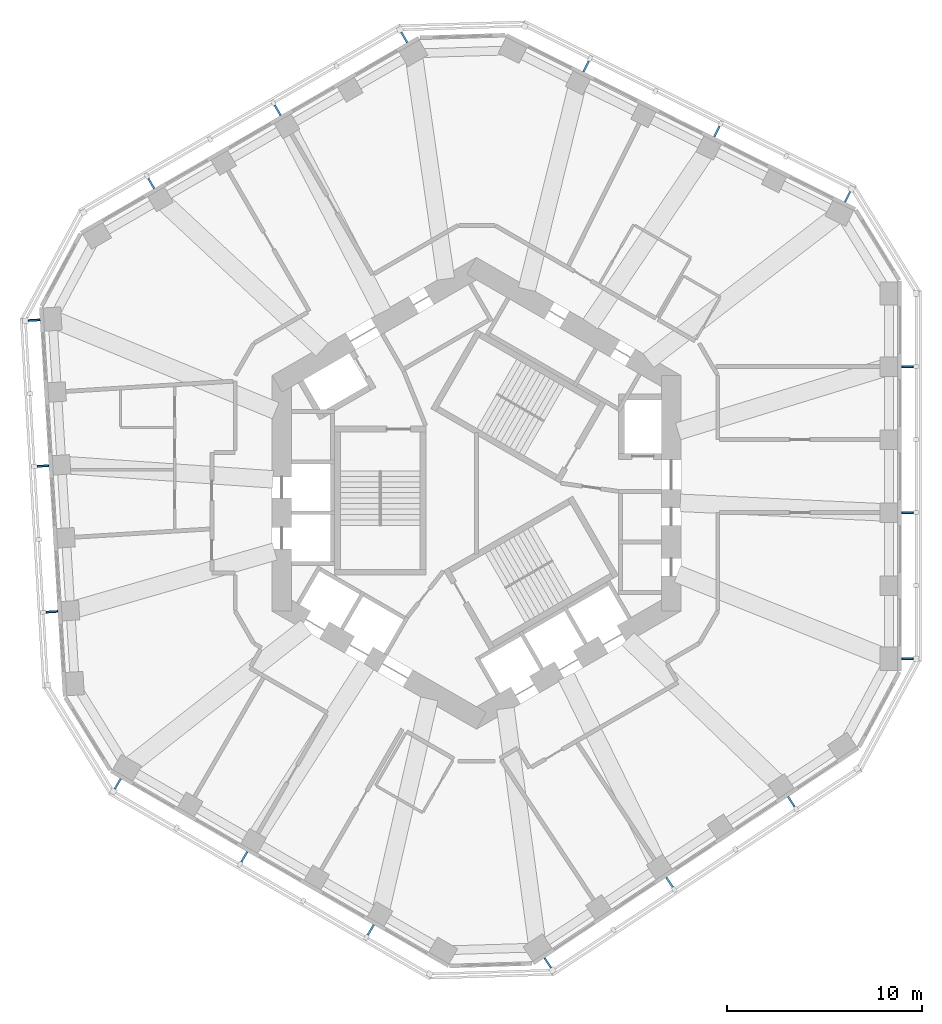
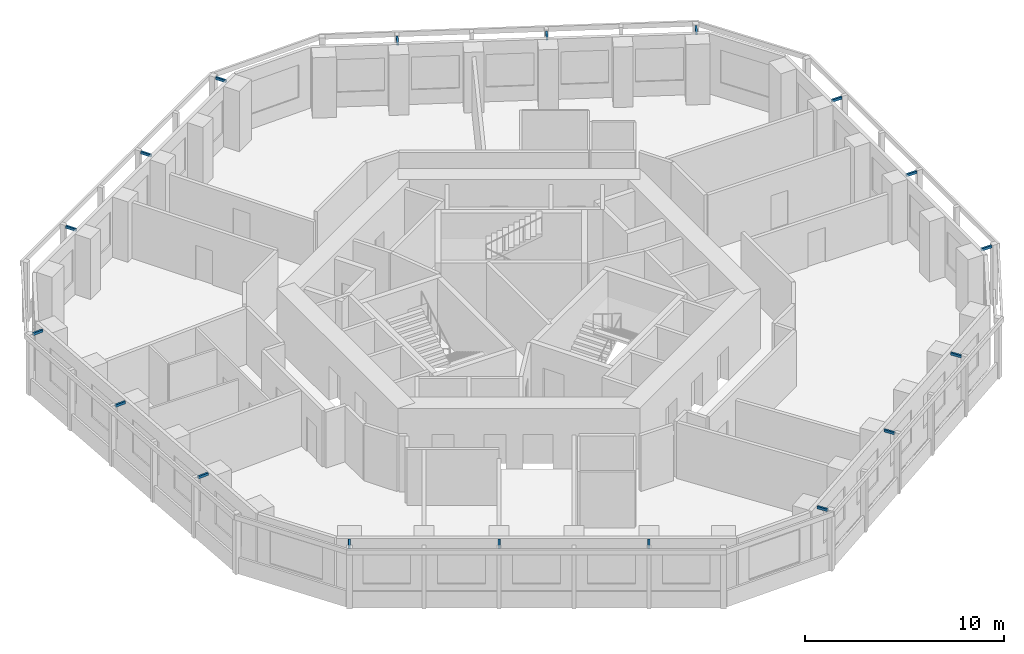
# One storey, part 9 of 10: 18 discrete accessories.
"""IFC4 building model written with IfcOpenShell, lengths in metres."""

import ifcopenshell
import ifcopenshell.guid

model = None  # the IFC model being written
_history = None  # IfcOwnerHistory: only IFC2X3 demands one
_inside = {}  # id of a spatial element -> (the spatial element, [elements in it])
_under = {}  # id of a project, library or spatial element -> (it, [spatial elements below it])
_declared = {}  # id of a project -> (the project, [libraries it declares])
_typed = {}  # id of a type object -> (the type object, [elements of that type])
_made_of = {}  # id of a material, layer set ... -> (it, [elements and type objects made of it])


def new_model(schema):
    """Start an empty IFC model of exactly this schema.

    Asked for "IFC4X3", IfcOpenShell would pick the latest addendum, in which some entities
    have other attributes; the version numbers below select the first issue.
    IFC2X3 requires an IfcOwnerHistory on every rooted entity: one is made here for all.
    """
    global model, _history
    if schema == "IFC4X3":
        model = ifcopenshell.file(schema_version=(4, 3, 0, 0))
    else:
        model = ifcopenshell.file(schema=schema)
    _inside.clear()
    _under.clear()
    _declared.clear()
    _typed.clear()
    _made_of.clear()
    _history = None
    if model.schema == "IFC2X3":
        org = make("IfcOrganization", Name="unknown")
        user = make(
            "IfcPersonAndOrganization",
            ThePerson=make("IfcPerson", FamilyName="unknown"),
            TheOrganization=org,
        )
        app = make(
            "IfcApplication",
            ApplicationDeveloper=org,
            Version="unknown",
            ApplicationFullName="unknown",
            ApplicationIdentifier="unknown",
        )
        _history = make(
            "IfcOwnerHistory",
            OwningUser=user,
            OwningApplication=app,
            ChangeAction="ADDED",
            CreationDate=0,
        )
    return model


def make(cls, **values):
    """One entity of the class cls with the attributes given. An attribute that is None is left unset."""
    return model.create_entity(
        cls, **{name: value for name, value in values.items() if value is not None}
    )


def rooted(cls, **values):
    """An entity with a GlobalId (a new one), such as an element, a storey or a relation."""
    return make(cls, GlobalId=ifcopenshell.guid.new(), OwnerHistory=_history, **values)


def si_unit(unit_type, name, prefix=None):
    """IfcSIUnit, for example si_unit("LENGTHUNIT", "METRE", prefix="MILLI")."""
    return make("IfcSIUnit", UnitType=unit_type, Prefix=prefix, Name=name)


def assignment(units):
    """IfcUnitAssignment: the units of a project."""
    return None if units is None else make("IfcUnitAssignment", Units=units)


def point(xyz):
    """IfcCartesianPoint."""
    return None if xyz is None else make("IfcCartesianPoint", Coordinates=xyz)


def direction(xyz):
    """IfcDirection."""
    return None if xyz is None else make("IfcDirection", DirectionRatios=xyz)


def frame(location, z_axis=None, x_axis=None):
    """IfcAxis2Placement3D, a coordinate frame: its origin and axes. An axis left out is left unset."""
    return make(
        "IfcAxis2Placement3D",
        Location=point(location),
        Axis=direction(z_axis),
        RefDirection=direction(x_axis),
    )


def frame_2d(location, x_axis=None):
    """IfcAxis2Placement2D, a coordinate frame in the plane: its origin and x axis."""
    return make(
        "IfcAxis2Placement2D", Location=point(location), RefDirection=direction(x_axis)
    )


def origin():
    """The frame at (0, 0, 0) with its axes left unset."""
    return frame((0.0, 0.0, 0.0))


def origin_2d():
    """The frame at (0, 0) in the plane with its x axis left unset."""
    return frame_2d((0.0, 0.0))


def place(relative_to, where):
    """IfcLocalPlacement: puts the frame where relative to a parent placement (None: the world)."""
    return make(
        "IfcLocalPlacement", PlacementRelTo=relative_to, RelativePlacement=where
    )


def context(
    kind, dimensions, precision=None, world=None, true_north=None, identifier=None
):
    """IfcGeometricRepresentationContext, for example the 3D "Model" context."""
    return make(
        "IfcGeometricRepresentationContext",
        ContextIdentifier=identifier,
        ContextType=kind,
        CoordinateSpaceDimension=dimensions,
        Precision=precision,
        WorldCoordinateSystem=world,
        TrueNorth=true_north,
    )


def subcontext(parent, identifier, kind, view, scale=None):
    """IfcGeometricRepresentationSubContext, for example "Body" below "Model"."""
    return make(
        "IfcGeometricRepresentationSubContext",
        ContextIdentifier=identifier,
        ContextType=kind,
        ParentContext=parent,
        TargetScale=scale,
        TargetView=view,
    )


def project(units=None, contexts=None):
    """IfcProject with its units and contexts."""
    return rooted(
        "IfcProject",
        Name="project",
        RepresentationContexts=contexts,
        UnitsInContext=assignment(units),
    )


def spatial(cls, under=None, at=None, **own):
    """A site, building, storey or space (cls), placed at a placement, below another one or the project."""
    s = rooted(cls, ObjectPlacement=at, **own)
    if under is not None:
        _under.setdefault(under.id(), (under, []))[1].append(s)
    return s


def profile(cls, at=None, kind="AREA", **sizes):
    """A parametric profile (cls). Its sizes go by their IFC names, for example OverallWidth=200.0."""
    return make(cls, ProfileType=kind, Position=at, **sizes)


def rectangle(**sizes):
    """IfcRectangleProfileDef."""
    return profile("IfcRectangleProfileDef", **sizes)


def extrude(swept, where, along, depth):
    """IfcExtrudedAreaSolid: the profile swept, set in the frame where, extruded along a direction by depth."""
    return make(
        "IfcExtrudedAreaSolid",
        SweptArea=swept,
        Position=where,
        ExtrudedDirection=direction(along),
        Depth=depth,
    )


def shape(context_of_items, identifier, shape_type, items):
    """IfcShapeRepresentation: the items that make up one representation, for example the "Body"."""
    return make(
        "IfcShapeRepresentation",
        ContextOfItems=context_of_items,
        RepresentationIdentifier=identifier,
        RepresentationType=shape_type,
        Items=items,
    )


def material(Name=None, Category=None):
    """IfcMaterial."""
    return make("IfcMaterial", Name=Name, Category=Category)


def made_of(thing, what):
    """Note that an element or type object is made of a material, layer set ...; save() writes the relation."""
    if what is not None:
        _made_of.setdefault(what.id(), (what, []))[1].append(thing)
    return thing


def type_object(cls, material=None, **own):
    """A type object (cls), such as IfcWallType, which elements share."""
    return made_of(rooted(cls, **own), material)


def element(
    cls,
    number,
    at=None,
    inside=None,
    cuts=None,
    type_object=None,
    material=None,
    context=None,
    identifier="Body",
    shape_type=None,
    held_by="IfcProductDefinitionShape",
    body=None,
    shapes=None,
    **own,
):
    """One element of the class cls, such as IfcWall. Its Tag is "e" and its number.

    at: its placement. inside: the storey or other place that contains it. cuts: it is an
    opening in that element (IfcRelVoidsElement). A single representation is given by context,
    identifier, shape_type and body (its items); several are given by shapes. held_by: the class
    of the entity that holds the representations. save() writes the other relations.
    """
    e = rooted(cls, Tag="e%d" % number, ObjectPlacement=at, **own)
    if body is not None:
        shapes = [shape(context, identifier, shape_type, body)]
    if shapes is not None:
        e.Representation = make(held_by, Representations=shapes)
    if inside is not None:
        _inside.setdefault(inside.id(), (inside, []))[1].append(e)
    if cuts is not None:
        rooted(
            "IfcRelVoidsElement", RelatingBuildingElement=cuts, RelatedOpeningElement=e
        )
    if type_object is not None:
        _typed.setdefault(type_object.id(), (type_object, []))[1].append(e)
    return made_of(e, material)


def aggregate(whole, parts):
    """IfcRelAggregates: a whole, such as a stair, and the parts it consists of."""
    return rooted("IfcRelAggregates", RelatingObject=whole, RelatedObjects=parts)


def save(model, path):
    """Write the relations noted so far, then the file.

    IfcRelAggregates (storeys below a building ...), IfcRelContainedInSpatialStructure (elements
    in a storey), IfcRelDefinesByType, IfcRelAssociatesMaterial and IfcRelDeclares: one each for
    every whole, place, type object, material and project.
    """
    for whole, parts in _under.values():
        aggregate(whole, parts)
    for where, things in _inside.values():
        rooted(
            "IfcRelContainedInSpatialStructure",
            RelatedElements=things,
            RelatingStructure=where,
        )
    for kind, things in _typed.values():
        rooted("IfcRelDefinesByType", RelatedObjects=things, RelatingType=kind)
    for what, things in _made_of.values():
        rooted("IfcRelAssociatesMaterial", RelatedObjects=things, RelatingMaterial=what)
    for by, libraries in _declared.values():
        rooted("IfcRelDeclares", RelatingContext=by, RelatedDefinitions=libraries)
    model.write(path)


model = new_model("IFC4")

# Units and contexts
model_context = context("Model", 3, precision=1e-05, world=origin(), true_north=direction((0.0, 1.0)))
body_context = subcontext(model_context, "Body", "Model", "MODEL_VIEW")
ifc_project = project(units=[si_unit("LENGTHUNIT", "METRE"), si_unit("AREAUNIT", "SQUARE_METRE"), si_unit("VOLUMEUNIT", "CUBIC_METRE"), si_unit("PLANEANGLEUNIT", "RADIAN"), si_unit("MASSUNIT", "GRAM", prefix="KILO")], contexts=[model_context])

# Site, building, storey
site_placement = place(None, origin())
site = spatial("IfcSite", under=ifc_project, at=site_placement, CompositionType="ELEMENT")
building_placement = place(site_placement, origin())
building = spatial("IfcBuilding", under=site, at=building_placement, Name="Vanh Sen Convention Tower", CompositionType="ELEMENT")
storey_placement = place(building_placement, frame((0.0, 0.0, 165.10009765625)))
storey = spatial("IfcBuildingStorey", under=building, at=storey_placement, Name="L40", CompositionType="ELEMENT", Elevation=165.10009765625)

# Discrete accessories
ifc_material = material(Name="Steel S355", Category="steel")
discrete_accessory_type = type_object("IfcDiscreteAccessoryType", Name="Fin bracket 100 x 150", PredefinedType="BRACKET", material=ifc_material)
for number, where, z_axis, x_axis, name in (
    (1, (22.14990234375, -8.5009765625, 3.5), (0.0, 0.0, 1.0), (1.0, 0.0, 0.0), "Fin bracket E-1 L40"),
    (2, (22.14990234375, -0.992919921875, 3.5), (0.0, 0.0, 1.0), (1.0, 0.0, 0.0), "Fin bracket E-3 L40"),
    (3, (22.14990234375, 6.515380859375, 3.5), (0.0, 0.0, 1.0), (1.0, 0.0, 0.0), "Fin bracket E-5 L40"),
    (4, (19.073974609375, 15.240478515625, 3.5), (0.0, 0.0, 1.0), (0.44619781311, 0.894934361602, 0.0), "Fin bracket NE-1 L40"),
    (5, (12.3544921875, 18.5908203125, 3.5), (0.0, 0.0, 1.0), (0.44619781311, 0.894934361602, 0.0), "Fin bracket NE-3 L40"),
    (6, (5.635009765625, 21.94091796875, 3.5), (0.0, 0.0, 1.0), (0.44619781311, 0.894934361602, 0.0), "Fin bracket NE-5 L40"),
    (7, (-3.712890625, 23.432861328125, 3.5), (0.0, 0.0, 1.0), (-0.5, 0.866025403784, 0.0), "Fin bracket NW-1 L40"),
    (8, (-10.215087890625, 19.6787109375, 3.5), (0.0, 0.0, 1.0), (-0.5, 0.866025403784, 0.0), "Fin bracket NW-3 L40"),
    (9, (-16.717529296875, 15.9248046875, 3.5), (0.0, 0.0, 1.0), (-0.5, 0.866025403784, 0.0), "Fin bracket NW-5 L40"),
    (10, (-22.735595703125, 8.898193359375, 3.5), (0.0, 0.0, 1.0), (-0.998134798422, -0.061048539535, 0.0), "Fin bracket W-1 L40"),
    (11, (-22.277099609375, 1.40380859375, 3.5), (0.0, 0.0, 1.0), (-0.998134798422, -0.061048539535, 0.0), "Fin bracket W-3 L40"),
    (12, (-21.81884765625, -6.09033203125, 3.5), (0.0, 0.0, 1.0), (-0.998134798422, -0.061048539535, 0.0), "Fin bracket W-5 L40"),
    (13, (-18.43701171875, -14.931884765625, 3.5), (0.0, 0.0, 1.0), (-0.5, -0.866025403784, 0.0), "Fin bracket SW-1 L40"),
    (14, (-11.934814453125, -18.68603515625, 3.5), (0.0, 0.0, 1.0), (-0.5, -0.866025403784, 0.0), "Fin bracket SW-3 L40"),
    (15, (-5.4326171875, -22.440185546875, 3.5), (0.0, 0.0, 1.0), (-0.5, -0.866025403784, 0.0), "Fin bracket SW-5 L40"),
    (16, (3.66162109375, -24.138671875, 3.5), (0.0, 0.0, 1.0), (0.551936985312, -0.833885822067, 0.0), "Fin bracket SE-1 L40"),
    (17, (9.922607421875, -19.99462890625, 3.5), (0.0, 0.0, 1.0), (0.551936985312, -0.833885822067, 0.0), "Fin bracket SE-3 L40"),
    (18, (16.18359375, -15.8505859375, 3.5), (0.0, 0.0, 1.0), (0.551936985312, -0.833885822067, 0.0), "Fin bracket SE-5 L40"),
):
    element("IfcDiscreteAccessory", number, at=place(storey_placement, frame(where, z_axis=z_axis, x_axis=x_axis)), inside=storey, type_object=discrete_accessory_type, Name=name, PredefinedType="BRACKET", context=body_context, shape_type="SweptSolid", body=[
        extrude(rectangle(XDim=0.60009765625, YDim=0.10009765625, at=origin_2d()), origin(), (0.0, 0.0, 1.0), 0.14990234375),
    ])

save(model, "model.ifc")
